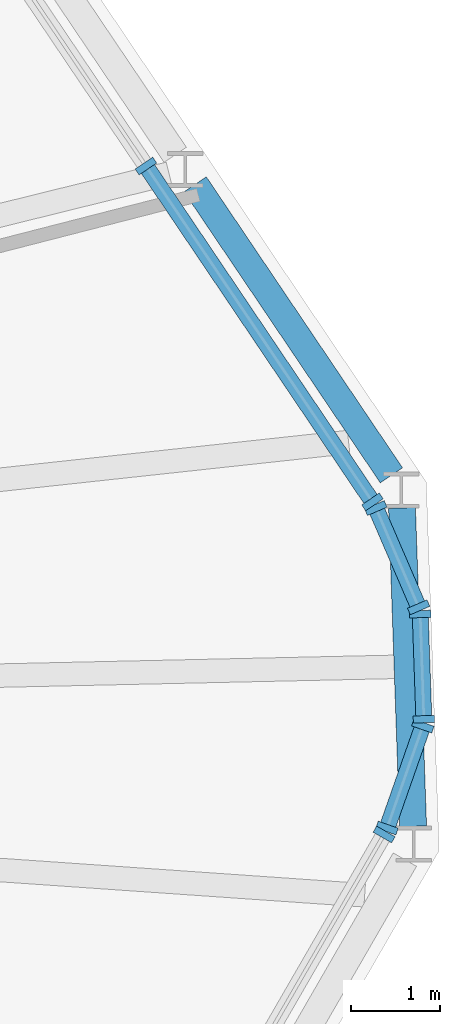
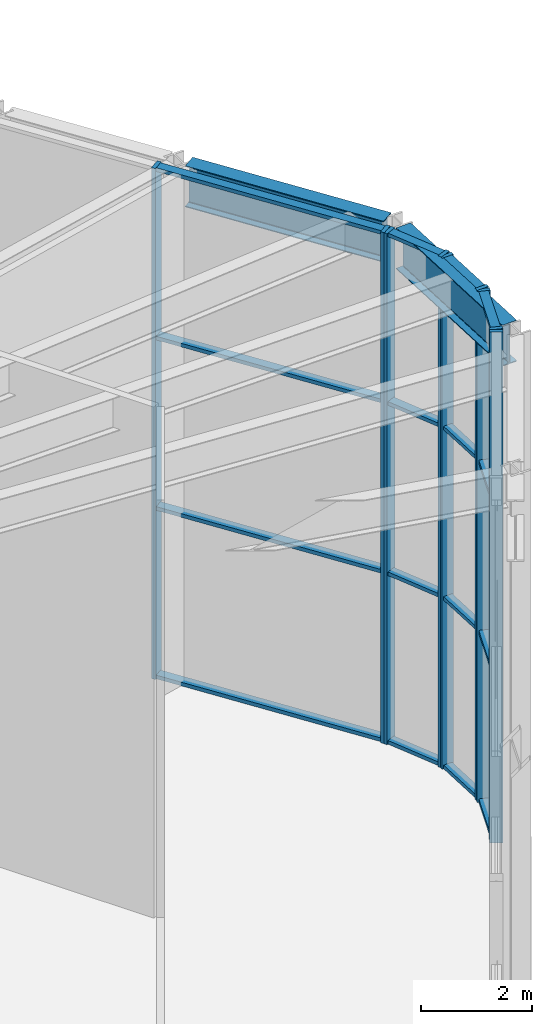
# One storey, part 6 of 17: 25 members, 2 beams, 5 elements without a shape of their own.
"""IFC4 building model written with IfcOpenShell, lengths in metres."""

from ifc_helpers import new_model, si_unit, direction, frame, origin, origin_2d, place, context, subcontext, project, spatial, rectangle, i_section, extrude, material, material_profile, profile_set, type_object, element, aggregate, save


model = new_model("IFC4")

# Units and contexts
model_context = context("Model", 3, precision=1e-05, world=origin(), true_north=direction((0.0, 1.0)))
body_context = subcontext(model_context, "Body", "Model", "MODEL_VIEW")
ifc_project = project(units=[si_unit("LENGTHUNIT", "METRE"), si_unit("AREAUNIT", "SQUARE_METRE"), si_unit("VOLUMEUNIT", "CUBIC_METRE"), si_unit("PLANEANGLEUNIT", "RADIAN"), si_unit("MASSUNIT", "GRAM", prefix="KILO")], contexts=[model_context])

# Site, building, storey
site_placement = place(None, origin())
site = spatial("IfcSite", under=ifc_project, at=site_placement, CompositionType="ELEMENT")
building_placement = place(site_placement, origin())
building = spatial("IfcBuilding", under=site, at=building_placement, Name="Tarnside Tower", CompositionType="ELEMENT")
storey_placement = place(building_placement, frame((0.0, 0.0, 376.800048828125)))
storey = spatial("IfcBuildingStorey", under=building, at=storey_placement, Name="L91", CompositionType="ELEMENT", Elevation=376.800048828125)

# Curtain wall, members
ifc_material_1 = material(Name="Damper hall glazing wall", Category="glass")
curtain_wall_type = type_object("IfcCurtainWallType", Name="Damper hall glazing wall", PredefinedType="NOTDEFINED", material=ifc_material_1)
curtain_wall_1_placement = place(storey_placement, origin())
curtain_wall_1 = element("IfcCurtainWall", 1, at=curtain_wall_1_placement, inside=storey, type_object=curtain_wall_type, Name="Damper hall glazing L91 04", PredefinedType="NOTDEFINED")
ifc_material_2 = material(Name="Aluminium alloy 6063", Category="aluminium")
ifc_material_profile_1 = material_profile(ifc_material_2, rectangle(XDim=0.239990234375, YDim=0.080078125, at=origin_2d()), Name="Damper hall glazing mullion 80 x 240")
ifc_profile_set_1 = profile_set([ifc_material_profile_1], Name="Aluminium alloy 6063")
member_type_1 = type_object("IfcMemberType", Name="Damper hall glazing mullion 80 x 240", PredefinedType="MULLION", material=ifc_profile_set_1)
member_1_placement = place(storey_placement, frame((23.814453125, 6.59326171875, 0.0), z_axis=(0.0, 0.0, 1.0), x_axis=(0.829037572545, 0.559192903485, 0.0)))
member_1 = element("IfcMember", 2, at=member_1_placement, type_object=member_type_1, Name="CW5 mullion 5", PredefinedType="MULLION", context=body_context, shape_type="SweptSolid", body=[
    extrude(rectangle(XDim=0.239990234375, YDim=0.080078125, at=origin_2d()), origin(), (0.0, 0.0, 1.0), 11.199951171875),
])
member_2_placement = place(storey_placement, frame((26.372314453125, 2.801025390625, 0.0), z_axis=(0.0, 0.0, 1.0), x_axis=(0.829037572545, 0.559192903485, 0.0)))
member_2 = element("IfcMember", 3, at=member_2_placement, type_object=member_type_1, Name="CW5 mullion 6", PredefinedType="MULLION", context=body_context, shape_type="SweptSolid", body=[
    extrude(rectangle(XDim=0.239990234375, YDim=0.080078125, at=origin_2d()), origin(), (0.0, 0.0, 1.0), 11.199951171875),
])

curtain_wall_2_placement = place(storey_placement, origin())
curtain_wall_2 = element("IfcCurtainWall", 4, at=curtain_wall_2_placement, inside=storey, type_object=curtain_wall_type, Name="Damper hall glazing L91 05", PredefinedType="NOTDEFINED")
member_3_placement = place(storey_placement, frame((26.41064453125, 2.73095703125, 0.0), z_axis=(0.0, 0.0, 1.0), x_axis=(0.918216106938, 0.396079765906, 0.0)))
member_3 = element("IfcMember", 5, at=member_3_placement, type_object=member_type_1, Name="CW5 mullion 1", PredefinedType="MULLION", context=body_context, shape_type="SweptSolid", body=[
    extrude(rectangle(XDim=0.239990234375, YDim=0.080078125, at=origin_2d()), origin(), (0.0, 0.0, 1.0), 11.199951171875),
])
member_4_placement = place(storey_placement, frame((26.89404296875, 1.610595703125, 0.0), z_axis=(0.0, 0.0, 1.0), x_axis=(0.918216106938, 0.396079765906, 0.0)))
member_4 = element("IfcMember", 6, at=member_4_placement, type_object=member_type_1, Name="CW5 mullion 2", PredefinedType="MULLION", context=body_context, shape_type="SweptSolid", body=[
    extrude(rectangle(XDim=0.239990234375, YDim=0.080078125, at=origin_2d()), origin(), (0.0, 0.0, 1.0), 11.199951171875),
])

curtain_wall_3_placement = place(storey_placement, origin())
curtain_wall_3 = element("IfcCurtainWall", 7, at=curtain_wall_3_placement, inside=storey, type_object=curtain_wall_type, Name="Damper hall glazing L91 06", PredefinedType="NOTDEFINED")
member_5_placement = place(storey_placement, frame((26.9111328125, 1.533935546875, 0.0), z_axis=(0.0, 0.0, 1.0), x_axis=(0.999390827019, 0.034899496703, 0.0)))
member_5 = element("IfcMember", 8, at=member_5_placement, type_object=member_type_1, Name="CW5 mullion 1", PredefinedType="MULLION", context=body_context, shape_type="SweptSolid", body=[
    extrude(rectangle(XDim=0.239990234375, YDim=0.080078125, at=origin_2d()), origin(), (0.0, 0.0, 1.0), 11.199951171875),
])
member_6_placement = place(storey_placement, frame((26.95263671875, 0.34716796875, 0.0), z_axis=(0.0, 0.0, 1.0), x_axis=(0.999390827019, 0.034899496703, 0.0)))
member_6 = element("IfcMember", 9, at=member_6_placement, type_object=member_type_1, Name="CW5 mullion 2", PredefinedType="MULLION", context=body_context, shape_type="SweptSolid", body=[
    extrude(rectangle(XDim=0.239990234375, YDim=0.080078125, at=origin_2d()), origin(), (0.0, 0.0, 1.0), 11.199951171875),
])

curtain_wall_4_placement = place(storey_placement, origin())
curtain_wall_4 = element("IfcCurtainWall", 10, at=curtain_wall_4_placement, inside=storey, type_object=curtain_wall_type, Name="Damper hall glazing L91 07", PredefinedType="NOTDEFINED")
member_7_placement = place(storey_placement, frame((26.94091796875, 0.269287109375, 0.0), z_axis=(0.0, 0.0, 1.0), x_axis=(0.943608506476, -0.331063417649, 0.0)))
member_7 = element("IfcMember", 11, at=member_7_placement, type_object=member_type_1, Name="CW5 mullion 1", PredefinedType="MULLION", context=body_context, shape_type="SweptSolid", body=[
    extrude(rectangle(XDim=0.239990234375, YDim=0.080078125, at=origin_2d()), origin(), (0.0, 0.0, 1.0), 11.199951171875),
])
member_8_placement = place(storey_placement, frame((26.536865234375, -0.882080078125, 0.0), z_axis=(0.0, 0.0, 1.0), x_axis=(0.943608506476, -0.331063417649, 0.0)))
member_8 = element("IfcMember", 12, at=member_8_placement, type_object=member_type_1, Name="CW5 mullion 2", PredefinedType="MULLION", context=body_context, shape_type="SweptSolid", body=[
    extrude(rectangle(XDim=0.239990234375, YDim=0.080078125, at=origin_2d()), origin(), (0.0, 0.0, 1.0), 11.199951171875),
])

# Curtain wall, member
curtain_wall_5_placement = place(storey_placement, origin())
curtain_wall_5 = element("IfcCurtainWall", 13, at=curtain_wall_5_placement, inside=storey, type_object=curtain_wall_type, Name="Damper hall glazing L91 08", PredefinedType="NOTDEFINED")
member_9_placement = place(storey_placement, frame((26.503662109375, -0.95458984375, 0.0), z_axis=(0.0, 0.0, 1.0), x_axis=(0.866025403784, -0.5, 0.0)))
member_9 = element("IfcMember", 14, at=member_9_placement, type_object=member_type_1, Name="CW5 mullion 1", PredefinedType="MULLION", context=body_context, shape_type="SweptSolid", body=[
    extrude(rectangle(XDim=0.239990234375, YDim=0.080078125, at=origin_2d()), origin(), (0.0, 0.0, 1.0), 11.199951171875),
])
aggregate(curtain_wall_5, [member_9])

# Member
ifc_material_profile_2 = material_profile(ifc_material_2, rectangle(XDim=0.179931640625, YDim=0.080078125, at=origin_2d()), Name="Damper hall glazing transom 80 x 180")
ifc_profile_set_2 = profile_set([ifc_material_profile_2], Name="Aluminium alloy 6063")
member_type_2 = type_object("IfcMemberType", Name="Damper hall glazing transom 80 x 180", PredefinedType="USERDEFINED", material=ifc_profile_set_2)
member_10_placement = place(storey_placement, frame((23.8369140625, 6.56005859375, 0.0400390625), z_axis=(0.559205057404, -0.829029374494, 0.0), x_axis=(0.829029374494, 0.559205057404, 0.0)))
member_10 = element("IfcMember", 15, at=member_10_placement, type_object=member_type_2, Name="CW5 transom 5.1", ObjectType="TRANSOM", PredefinedType="USERDEFINED", context=body_context, shape_type="SweptSolid", body=[
    extrude(rectangle(XDim=0.179931640625, YDim=0.080078125, at=origin_2d()), origin(), (0.0, 0.0, 1.0), 4.494140625),
])

member_11_placement = place(storey_placement, frame((23.8369140625, 6.56005859375, 3.733154296875), z_axis=(0.559205057404, -0.829029374494, 0.0), x_axis=(0.829029374494, 0.559205057404, 0.0)))
member_11 = element("IfcMember", 16, at=member_11_placement, type_object=member_type_2, Name="CW5 transom 5.2", ObjectType="TRANSOM", PredefinedType="USERDEFINED", context=body_context, shape_type="SweptSolid", body=[
    extrude(rectangle(XDim=0.179931640625, YDim=0.080078125, at=origin_2d()), origin(), (0.0, 0.0, 1.0), 4.494140625),
])

member_12_placement = place(storey_placement, frame((23.8369140625, 6.56005859375, 7.466552734375), z_axis=(0.559205057404, -0.829029374494, 0.0), x_axis=(0.829029374494, 0.559205057404, 0.0)))
member_12 = element("IfcMember", 17, at=member_12_placement, type_object=member_type_2, Name="CW5 transom 5.3", ObjectType="TRANSOM", PredefinedType="USERDEFINED", context=body_context, shape_type="SweptSolid", body=[
    extrude(rectangle(XDim=0.179931640625, YDim=0.080078125, at=origin_2d()), origin(), (0.0, 0.0, 1.0), 4.494140625),
])

member_13_placement = place(storey_placement, frame((23.8369140625, 6.56005859375, 11.159912109375), z_axis=(0.559205057404, -0.829029374494, 0.0), x_axis=(0.829029374494, 0.559205057404, 0.0)))
member_13 = element("IfcMember", 18, at=member_13_placement, type_object=member_type_2, Name="CW5 transom 5.4", ObjectType="TRANSOM", PredefinedType="USERDEFINED", context=body_context, shape_type="SweptSolid", body=[
    extrude(rectangle(XDim=0.179931640625, YDim=0.080078125, at=origin_2d()), origin(), (0.0, 0.0, 1.0), 4.494140625),
])

aggregate(curtain_wall_1, [member_1, member_2, member_10, member_11, member_12, member_13])

member_14_placement = place(storey_placement, frame((26.426513671875, 2.6943359375, 0.0400390625), z_axis=(0.396062797501, -0.918223426207, 0.0), x_axis=(0.918223426207, 0.396062797501, 0.0)))
member_14 = element("IfcMember", 19, at=member_14_placement, type_object=member_type_2, Name="CW5 transom 1.1", ObjectType="TRANSOM", PredefinedType="USERDEFINED", context=body_context, shape_type="SweptSolid", body=[
    extrude(rectangle(XDim=0.179931640625, YDim=0.080078125, at=origin_2d()), origin(), (0.0, 0.0, 1.0), 1.140380859375),
])

member_15_placement = place(storey_placement, frame((26.426513671875, 2.6943359375, 3.733154296875), z_axis=(0.396062797501, -0.918223426207, 0.0), x_axis=(0.918223426207, 0.396062797501, 0.0)))
member_15 = element("IfcMember", 20, at=member_15_placement, type_object=member_type_2, Name="CW5 transom 1.2", ObjectType="TRANSOM", PredefinedType="USERDEFINED", context=body_context, shape_type="SweptSolid", body=[
    extrude(rectangle(XDim=0.179931640625, YDim=0.080078125, at=origin_2d()), origin(), (0.0, 0.0, 1.0), 1.140380859375),
])

member_16_placement = place(storey_placement, frame((26.426513671875, 2.6943359375, 7.466552734375), z_axis=(0.396062797501, -0.918223426207, 0.0), x_axis=(0.918223426207, 0.396062797501, 0.0)))
member_16 = element("IfcMember", 21, at=member_16_placement, type_object=member_type_2, Name="CW5 transom 1.3", ObjectType="TRANSOM", PredefinedType="USERDEFINED", context=body_context, shape_type="SweptSolid", body=[
    extrude(rectangle(XDim=0.179931640625, YDim=0.080078125, at=origin_2d()), origin(), (0.0, 0.0, 1.0), 1.140380859375),
])

member_17_placement = place(storey_placement, frame((26.426513671875, 2.6943359375, 11.159912109375), z_axis=(0.396062797501, -0.918223426207, 0.0), x_axis=(0.918223426207, 0.396062797501, 0.0)))
member_17 = element("IfcMember", 22, at=member_17_placement, type_object=member_type_2, Name="CW5 transom 1.4", ObjectType="TRANSOM", PredefinedType="USERDEFINED", context=body_context, shape_type="SweptSolid", body=[
    extrude(rectangle(XDim=0.179931640625, YDim=0.080078125, at=origin_2d()), origin(), (0.0, 0.0, 1.0), 1.140380859375),
])

aggregate(curtain_wall_2, [member_3, member_4, member_14, member_15, member_16, member_17])

member_18_placement = place(storey_placement, frame((26.91259765625, 1.493896484375, 0.0400390625), z_axis=(0.034826676672, -0.999393367294, 0.0), x_axis=(0.999393367294, 0.034826676672, 0.0)))
member_18 = element("IfcMember", 23, at=member_18_placement, type_object=member_type_2, Name="CW5 transom 1.1", ObjectType="TRANSOM", PredefinedType="USERDEFINED", context=body_context, shape_type="SweptSolid", body=[
    extrude(rectangle(XDim=0.179931640625, YDim=0.080078125, at=origin_2d()), origin(), (0.0, 0.0, 1.0), 1.107666015625),
])

member_19_placement = place(storey_placement, frame((26.91259765625, 1.493896484375, 3.733154296875), z_axis=(0.034826676672, -0.999393367294, 0.0), x_axis=(0.999393367294, 0.034826676672, 0.0)))
member_19 = element("IfcMember", 24, at=member_19_placement, type_object=member_type_2, Name="CW5 transom 1.2", ObjectType="TRANSOM", PredefinedType="USERDEFINED", context=body_context, shape_type="SweptSolid", body=[
    extrude(rectangle(XDim=0.179931640625, YDim=0.080078125, at=origin_2d()), origin(), (0.0, 0.0, 1.0), 1.107666015625),
])

member_20_placement = place(storey_placement, frame((26.91259765625, 1.493896484375, 7.466552734375), z_axis=(0.034826676672, -0.999393367294, 0.0), x_axis=(0.999393367294, 0.034826676672, 0.0)))
member_20 = element("IfcMember", 25, at=member_20_placement, type_object=member_type_2, Name="CW5 transom 1.3", ObjectType="TRANSOM", PredefinedType="USERDEFINED", context=body_context, shape_type="SweptSolid", body=[
    extrude(rectangle(XDim=0.179931640625, YDim=0.080078125, at=origin_2d()), origin(), (0.0, 0.0, 1.0), 1.107666015625),
])

member_21_placement = place(storey_placement, frame((26.91259765625, 1.493896484375, 11.159912109375), z_axis=(0.034826676672, -0.999393367294, 0.0), x_axis=(0.999393367294, 0.034826676672, 0.0)))
member_21 = element("IfcMember", 26, at=member_21_placement, type_object=member_type_2, Name="CW5 transom 1.4", ObjectType="TRANSOM", PredefinedType="USERDEFINED", context=body_context, shape_type="SweptSolid", body=[
    extrude(rectangle(XDim=0.179931640625, YDim=0.080078125, at=origin_2d()), origin(), (0.0, 0.0, 1.0), 1.107666015625),
])

aggregate(curtain_wall_3, [member_5, member_6, member_18, member_19, member_20, member_21])

member_22_placement = place(storey_placement, frame((26.927490234375, 0.231689453125, 0.0400390625), z_axis=(-0.331027507975, -0.943621104556, 0.0), x_axis=(0.943621104556, -0.331027507975, 0.0)))
member_22 = element("IfcMember", 27, at=member_22_placement, type_object=member_type_2, Name="CW5 transom 1.1", ObjectType="TRANSOM", PredefinedType="USERDEFINED", context=body_context, shape_type="SweptSolid", body=[
    extrude(rectangle(XDim=0.179931640625, YDim=0.080078125, at=origin_2d()), origin(), (0.0, 0.0, 1.0), 1.14013671875),
])

member_23_placement = place(storey_placement, frame((26.927490234375, 0.231689453125, 3.733154296875), z_axis=(-0.331027507975, -0.943621104556, 0.0), x_axis=(0.943621104556, -0.331027507975, 0.0)))
member_23 = element("IfcMember", 28, at=member_23_placement, type_object=member_type_2, Name="CW5 transom 1.2", ObjectType="TRANSOM", PredefinedType="USERDEFINED", context=body_context, shape_type="SweptSolid", body=[
    extrude(rectangle(XDim=0.179931640625, YDim=0.080078125, at=origin_2d()), origin(), (0.0, 0.0, 1.0), 1.14013671875),
])

member_24_placement = place(storey_placement, frame((26.927490234375, 0.231689453125, 7.466552734375), z_axis=(-0.331027507975, -0.943621104556, 0.0), x_axis=(0.943621104556, -0.331027507975, 0.0)))
member_24 = element("IfcMember", 29, at=member_24_placement, type_object=member_type_2, Name="CW5 transom 1.3", ObjectType="TRANSOM", PredefinedType="USERDEFINED", context=body_context, shape_type="SweptSolid", body=[
    extrude(rectangle(XDim=0.179931640625, YDim=0.080078125, at=origin_2d()), origin(), (0.0, 0.0, 1.0), 1.14013671875),
])

member_25_placement = place(storey_placement, frame((26.927490234375, 0.231689453125, 11.159912109375), z_axis=(-0.331027507975, -0.943621104556, 0.0), x_axis=(0.943621104556, -0.331027507975, 0.0)))
member_25 = element("IfcMember", 30, at=member_25_placement, type_object=member_type_2, Name="CW5 transom 1.4", ObjectType="TRANSOM", PredefinedType="USERDEFINED", context=body_context, shape_type="SweptSolid", body=[
    extrude(rectangle(XDim=0.179931640625, YDim=0.080078125, at=origin_2d()), origin(), (0.0, 0.0, 1.0), 1.14013671875),
])

aggregate(curtain_wall_4, [member_7, member_8, member_22, member_23, member_24, member_25])

# Beams
ifc_material_3 = material(Name="Steel S355", Category="steel")
ifc_material_profile_3 = material_profile(ifc_material_3, i_section(OverallWidth=0.30322265625, OverallDepth=0.903076171875, WebThickness=0.01513671875, FlangeThickness=0.020263671875, FilletRadius=0.01904296875, at=origin_2d()), Name="UB 914x305x201")
ifc_profile_set_3 = profile_set([ifc_material_profile_3], Name="Steel S355")
beam_type = type_object("IfcBeamType", Name="Perimeter girder UB 914x305x201", PredefinedType="BEAM", material=ifc_profile_set_3)
beam_1_placement = place(storey_placement, frame((26.831298828125, -0.863037109375, 10.74853515625), z_axis=(-0.034878277149, 0.999391567797, 0.0), x_axis=(-0.999391567797, -0.034878277149, 0.0)))
element("IfcBeam", 31, at=beam_1_placement, inside=storey, type_object=beam_type, Name="Perimeter girder R35", PredefinedType="BEAM", context=body_context, shape_type="SweptSolid", body=[
    extrude(i_section(OverallWidth=0.30322265625, OverallDepth=0.903076171875, WebThickness=0.01513671875, FlangeThickness=0.020263671875, FilletRadius=0.01904296875, at=origin_2d()), origin(), (0.0, 0.0, 1.0), 3.597900390625),
])
beam_2_placement = place(storey_placement, frame((26.586181640625, 3.10107421875, 10.74853515625), z_axis=(-0.559198784301, 0.829033605854, 0.0), x_axis=(-0.829033605854, -0.559198784301, 0.0)))
element("IfcBeam", 32, at=beam_2_placement, inside=storey, type_object=beam_type, Name="Perimeter girder R36", PredefinedType="BEAM", context=body_context, shape_type="SweptSolid", body=[
    extrude(i_section(OverallWidth=0.30322265625, OverallDepth=0.903076171875, WebThickness=0.01513671875, FlangeThickness=0.020263671875, FilletRadius=0.01904296875, at=origin_2d()), origin(), (0.0, 0.0, 1.0), 3.962890625),
])

save(model, "model.ifc")
